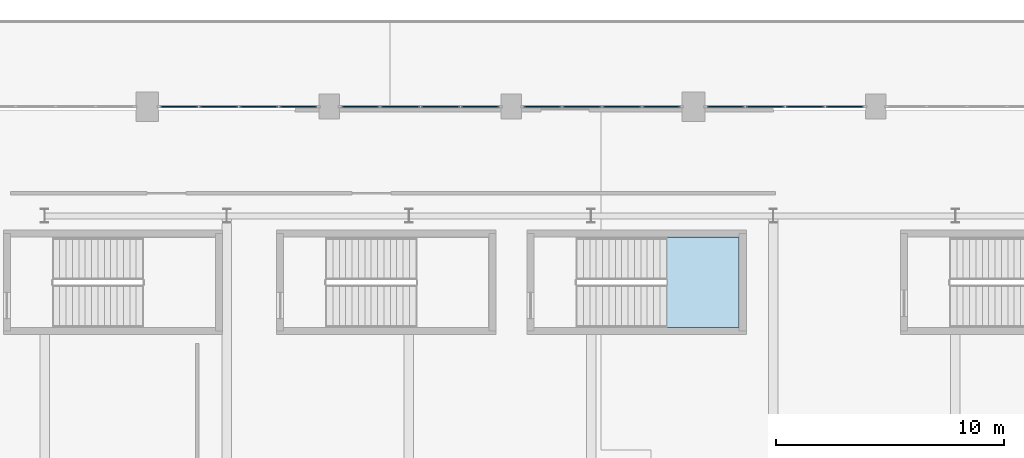
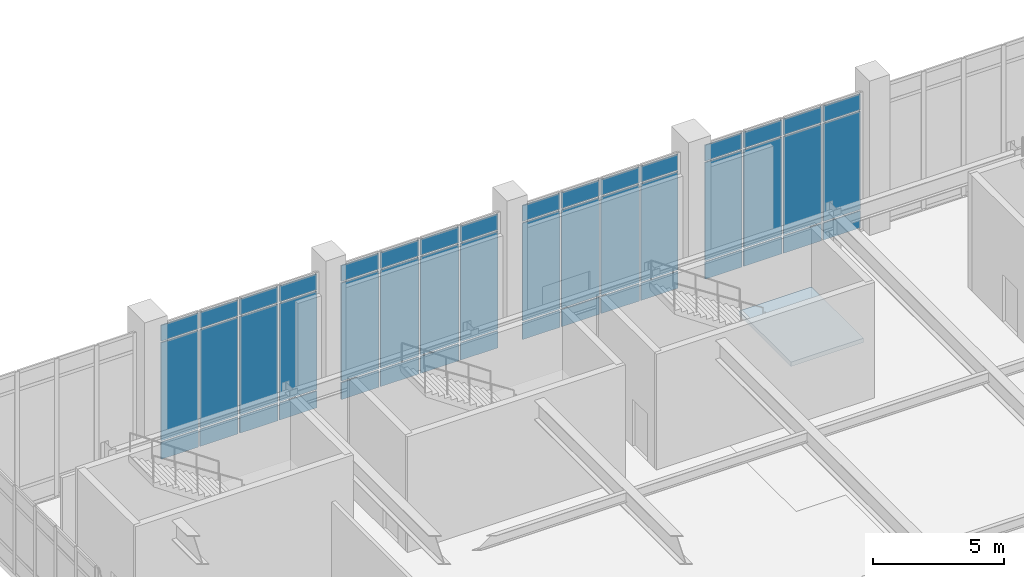
# One storey, part 53 of 84: 48 plates, 1 slab, 5 elements without a shape of their own.
"""IFC4 building model written with IfcOpenShell, lengths in metres."""

from ifc_helpers import new_model, si_unit, direction, frame, origin, origin_2d, place, context, subcontext, project, spatial, polyline, rectangle, outline, extrude, material, layer, layer_set, type_object, element, aggregate, save


model = new_model("IFC4")

# Units and contexts
model_context = context("Model", 3, precision=1e-05, world=origin(), true_north=direction((0.0, 1.0)))
body_context = subcontext(model_context, "Body", "Model", "MODEL_VIEW")
ifc_project = project(units=[si_unit("LENGTHUNIT", "METRE"), si_unit("AREAUNIT", "SQUARE_METRE"), si_unit("VOLUMEUNIT", "CUBIC_METRE"), si_unit("PLANEANGLEUNIT", "RADIAN"), si_unit("MASSUNIT", "GRAM", prefix="KILO")], contexts=[model_context])

# Site, building, storey
site_placement = place(None, origin())
site = spatial("IfcSite", under=ifc_project, at=site_placement, CompositionType="ELEMENT")
building_placement = place(site_placement, origin())
building = spatial("IfcBuilding", under=site, at=building_placement, Name="Tlacozan Convention Centre", CompositionType="ELEMENT")
storey_placement = place(building_placement, frame((0.0, 0.0, 6.0)))
storey = spatial("IfcBuildingStorey", under=building, at=storey_placement, Name="L01", CompositionType="ELEMENT", Elevation=6.0)

# Curtain wall, plates
ifc_material_1 = material(Name="Dark Bronze Anodised Aluminium", Category="aluminium")
ifc_layer_1 = layer(ifc_material_1, 0.199951171875)
ifc_layer_set_1 = layer_set([ifc_layer_1], Name="Dark Bronze Anodised Aluminium")
curtain_wall_type = type_object("IfcCurtainWallType", Name="Exhibition Clerestory Curtain Wall CW10", PredefinedType="NOTDEFINED", material=ifc_layer_set_1)
curtain_wall_1_placement = place(storey_placement, origin())
curtain_wall_1 = element("IfcCurtainWall", 1, at=curtain_wall_1_placement, inside=storey, type_object=curtain_wall_type, Name="L01 CW-10 Run 21", PredefinedType="NOTDEFINED")
ifc_material_2 = material(Name="Solar Control Double Low-E Argon Glazing", Category="glass")
ifc_layer_2 = layer(ifc_material_2, 0.050048828125)
ifc_layer_set_2 = layer_set([ifc_layer_2], Name="Solar Control Double Low-E Argon Glazing")
plate_type = type_object("IfcPlateType", Name="Clerestory Solar CW Panel 50", PredefinedType="CURTAIN_PANEL", material=ifc_layer_set_2)
plate_1_placement = place(storey_placement, frame((97.4111328125, 62.0, 0.074951171875), z_axis=(0.0, 0.0, 1.0), x_axis=(1.0, 0.0, 0.0)))
plate_1 = element("IfcPlate", 2, at=plate_1_placement, type_object=plate_type, Name="CW-10 panel 1.1", PredefinedType="CURTAIN_PANEL", context=body_context, shape_type="SweptSolid", body=[
    extrude(rectangle(XDim=1.642578125, YDim=0.050048828125, at=origin_2d()), origin(), (0.0, 0.0, 1.0), 0.78759765625),
])
plate_2_placement = place(storey_placement, frame((97.4111328125, 62.0, 0.9375), z_axis=(0.0, 0.0, 1.0), x_axis=(1.0, 0.0, 0.0)))
plate_2 = element("IfcPlate", 3, at=plate_2_placement, type_object=plate_type, Name="CW-10 panel 1.2", PredefinedType="CURTAIN_PANEL", context=body_context, shape_type="SweptSolid", body=[
    extrude(rectangle(XDim=1.642578125, YDim=0.050048828125, at=origin_2d()), origin(), (0.0, 0.0, 1.0), 4.574951171875),
])
plate_3_placement = place(storey_placement, frame((97.4111328125, 62.0, 5.58740234375), z_axis=(0.0, 0.0, 1.0), x_axis=(1.0, 0.0, 0.0)))
plate_3 = element("IfcPlate", 4, at=plate_3_placement, type_object=plate_type, Name="CW-10 panel 1.3", PredefinedType="CURTAIN_PANEL", context=body_context, shape_type="SweptSolid", body=[
    extrude(rectangle(XDim=1.642578125, YDim=0.050048828125, at=origin_2d()), origin(), (0.0, 0.0, 1.0), 0.737548828125),
])
plate_4_placement = place(storey_placement, frame((99.1474609375, 62.0, 0.074951171875), z_axis=(0.0, 0.0, 1.0), x_axis=(1.0, 0.0, 0.0)))
plate_4 = element("IfcPlate", 5, at=plate_4_placement, type_object=plate_type, Name="CW-10 panel 2.1", PredefinedType="CURTAIN_PANEL", context=body_context, shape_type="SweptSolid", body=[
    extrude(rectangle(XDim=1.679931640625, YDim=0.050048828125, at=origin_2d()), origin(), (0.0, 0.0, 1.0), 0.78759765625),
])
plate_5_placement = place(storey_placement, frame((99.1474609375, 62.0, 0.9375), z_axis=(0.0, 0.0, 1.0), x_axis=(1.0, 0.0, 0.0)))
plate_5 = element("IfcPlate", 6, at=plate_5_placement, type_object=plate_type, Name="CW-10 panel 2.2", PredefinedType="CURTAIN_PANEL", context=body_context, shape_type="SweptSolid", body=[
    extrude(rectangle(XDim=1.679931640625, YDim=0.050048828125, at=origin_2d()), origin(), (0.0, 0.0, 1.0), 4.574951171875),
])
plate_6_placement = place(storey_placement, frame((99.1474609375, 62.0, 5.58740234375), z_axis=(0.0, 0.0, 1.0), x_axis=(1.0, 0.0, 0.0)))
plate_6 = element("IfcPlate", 7, at=plate_6_placement, type_object=plate_type, Name="CW-10 panel 2.3", PredefinedType="CURTAIN_PANEL", context=body_context, shape_type="SweptSolid", body=[
    extrude(rectangle(XDim=1.679931640625, YDim=0.050048828125, at=origin_2d()), origin(), (0.0, 0.0, 1.0), 0.737548828125),
])
plate_7_placement = place(storey_placement, frame((100.902587890625, 62.0, 0.074951171875), z_axis=(0.0, 0.0, 1.0), x_axis=(1.0, 0.0, 0.0)))
plate_7 = element("IfcPlate", 8, at=plate_7_placement, type_object=plate_type, Name="CW-10 panel 3.1", PredefinedType="CURTAIN_PANEL", context=body_context, shape_type="SweptSolid", body=[
    extrude(rectangle(XDim=1.679931640625, YDim=0.050048828125, at=origin_2d()), origin(), (0.0, 0.0, 1.0), 0.78759765625),
])
plate_8_placement = place(storey_placement, frame((100.902587890625, 62.0, 0.9375), z_axis=(0.0, 0.0, 1.0), x_axis=(1.0, 0.0, 0.0)))
plate_8 = element("IfcPlate", 9, at=plate_8_placement, type_object=plate_type, Name="CW-10 panel 3.2", PredefinedType="CURTAIN_PANEL", context=body_context, shape_type="SweptSolid", body=[
    extrude(rectangle(XDim=1.679931640625, YDim=0.050048828125, at=origin_2d()), origin(), (0.0, 0.0, 1.0), 4.574951171875),
])
plate_9_placement = place(storey_placement, frame((100.902587890625, 62.0, 5.58740234375), z_axis=(0.0, 0.0, 1.0), x_axis=(1.0, 0.0, 0.0)))
plate_9 = element("IfcPlate", 10, at=plate_9_placement, type_object=plate_type, Name="CW-10 panel 3.3", PredefinedType="CURTAIN_PANEL", context=body_context, shape_type="SweptSolid", body=[
    extrude(rectangle(XDim=1.679931640625, YDim=0.050048828125, at=origin_2d()), origin(), (0.0, 0.0, 1.0), 0.737548828125),
])
plate_10_placement = place(storey_placement, frame((102.638671875, 62.0, 0.074951171875), z_axis=(0.0, 0.0, 1.0), x_axis=(1.0, 0.0, 0.0)))
plate_10 = element("IfcPlate", 11, at=plate_10_placement, type_object=plate_type, Name="CW-10 panel 4.1", PredefinedType="CURTAIN_PANEL", context=body_context, shape_type="SweptSolid", body=[
    extrude(rectangle(XDim=1.642578125, YDim=0.050048828125, at=origin_2d()), origin(), (0.0, 0.0, 1.0), 0.78759765625),
])
plate_11_placement = place(storey_placement, frame((102.638671875, 62.0, 0.9375), z_axis=(0.0, 0.0, 1.0), x_axis=(1.0, 0.0, 0.0)))
plate_11 = element("IfcPlate", 12, at=plate_11_placement, type_object=plate_type, Name="CW-10 panel 4.2", PredefinedType="CURTAIN_PANEL", context=body_context, shape_type="SweptSolid", body=[
    extrude(rectangle(XDim=1.642578125, YDim=0.050048828125, at=origin_2d()), origin(), (0.0, 0.0, 1.0), 4.574951171875),
])
plate_12_placement = place(storey_placement, frame((102.638671875, 62.0, 5.58740234375), z_axis=(0.0, 0.0, 1.0), x_axis=(1.0, 0.0, 0.0)))
plate_12 = element("IfcPlate", 13, at=plate_12_placement, type_object=plate_type, Name="CW-10 panel 4.3", PredefinedType="CURTAIN_PANEL", context=body_context, shape_type="SweptSolid", body=[
    extrude(rectangle(XDim=1.642578125, YDim=0.050048828125, at=origin_2d()), origin(), (0.0, 0.0, 1.0), 0.737548828125),
])
aggregate(curtain_wall_1, [plate_1, plate_2, plate_3, plate_4, plate_5, plate_6, plate_7, plate_8, plate_9, plate_10, plate_11, plate_12])

curtain_wall_2_placement = place(storey_placement, origin())
curtain_wall_2 = element("IfcCurtainWall", 14, at=curtain_wall_2_placement, inside=storey, type_object=curtain_wall_type, Name="L01 CW-10 Run 22", PredefinedType="NOTDEFINED")
plate_13_placement = place(storey_placement, frame((105.367431640625, 62.0, 0.074951171875), z_axis=(0.0, 0.0, 1.0), x_axis=(1.0, 0.0, 0.0)))
plate_13 = element("IfcPlate", 15, at=plate_13_placement, type_object=plate_type, Name="CW-10 panel 1.1", PredefinedType="CURTAIN_PANEL", context=body_context, shape_type="SweptSolid", body=[
    extrude(rectangle(XDim=1.655029296875, YDim=0.050048828125, at=origin_2d()), origin(), (0.0, 0.0, 1.0), 0.78759765625),
])
plate_14_placement = place(storey_placement, frame((105.367431640625, 62.0, 0.9375), z_axis=(0.0, 0.0, 1.0), x_axis=(1.0, 0.0, 0.0)))
plate_14 = element("IfcPlate", 16, at=plate_14_placement, type_object=plate_type, Name="CW-10 panel 1.2", PredefinedType="CURTAIN_PANEL", context=body_context, shape_type="SweptSolid", body=[
    extrude(rectangle(XDim=1.655029296875, YDim=0.050048828125, at=origin_2d()), origin(), (0.0, 0.0, 1.0), 4.574951171875),
])
plate_15_placement = place(storey_placement, frame((105.367431640625, 62.0, 5.58740234375), z_axis=(0.0, 0.0, 1.0), x_axis=(1.0, 0.0, 0.0)))
plate_15 = element("IfcPlate", 17, at=plate_15_placement, type_object=plate_type, Name="CW-10 panel 1.3", PredefinedType="CURTAIN_PANEL", context=body_context, shape_type="SweptSolid", body=[
    extrude(rectangle(XDim=1.655029296875, YDim=0.050048828125, at=origin_2d()), origin(), (0.0, 0.0, 1.0), 0.737548828125),
])
plate_16_placement = place(storey_placement, frame((107.1162109375, 62.0, 0.074951171875), z_axis=(0.0, 0.0, 1.0), x_axis=(1.0, 0.0, 0.0)))
plate_16 = element("IfcPlate", 18, at=plate_16_placement, type_object=plate_type, Name="CW-10 panel 2.1", PredefinedType="CURTAIN_PANEL", context=body_context, shape_type="SweptSolid", body=[
    extrude(rectangle(XDim=1.6923828125, YDim=0.050048828125, at=origin_2d()), origin(), (0.0, 0.0, 1.0), 0.78759765625),
])
plate_17_placement = place(storey_placement, frame((107.1162109375, 62.0, 0.9375), z_axis=(0.0, 0.0, 1.0), x_axis=(1.0, 0.0, 0.0)))
plate_17 = element("IfcPlate", 19, at=plate_17_placement, type_object=plate_type, Name="CW-10 panel 2.2", PredefinedType="CURTAIN_PANEL", context=body_context, shape_type="SweptSolid", body=[
    extrude(rectangle(XDim=1.6923828125, YDim=0.050048828125, at=origin_2d()), origin(), (0.0, 0.0, 1.0), 4.574951171875),
])
plate_18_placement = place(storey_placement, frame((107.1162109375, 62.0, 5.58740234375), z_axis=(0.0, 0.0, 1.0), x_axis=(1.0, 0.0, 0.0)))
plate_18 = element("IfcPlate", 20, at=plate_18_placement, type_object=plate_type, Name="CW-10 panel 2.3", PredefinedType="CURTAIN_PANEL", context=body_context, shape_type="SweptSolid", body=[
    extrude(rectangle(XDim=1.6923828125, YDim=0.050048828125, at=origin_2d()), origin(), (0.0, 0.0, 1.0), 0.737548828125),
])
plate_19_placement = place(storey_placement, frame((108.8837890625, 62.0, 0.074951171875), z_axis=(0.0, 0.0, 1.0), x_axis=(1.0, 0.0, 0.0)))
plate_19 = element("IfcPlate", 21, at=plate_19_placement, type_object=plate_type, Name="CW-10 panel 3.1", PredefinedType="CURTAIN_PANEL", context=body_context, shape_type="SweptSolid", body=[
    extrude(rectangle(XDim=1.6923828125, YDim=0.050048828125, at=origin_2d()), origin(), (0.0, 0.0, 1.0), 0.78759765625),
])
plate_20_placement = place(storey_placement, frame((108.8837890625, 62.0, 0.9375), z_axis=(0.0, 0.0, 1.0), x_axis=(1.0, 0.0, 0.0)))
plate_20 = element("IfcPlate", 22, at=plate_20_placement, type_object=plate_type, Name="CW-10 panel 3.2", PredefinedType="CURTAIN_PANEL", context=body_context, shape_type="SweptSolid", body=[
    extrude(rectangle(XDim=1.6923828125, YDim=0.050048828125, at=origin_2d()), origin(), (0.0, 0.0, 1.0), 4.574951171875),
])
plate_21_placement = place(storey_placement, frame((108.8837890625, 62.0, 5.58740234375), z_axis=(0.0, 0.0, 1.0), x_axis=(1.0, 0.0, 0.0)))
plate_21 = element("IfcPlate", 23, at=plate_21_placement, type_object=plate_type, Name="CW-10 panel 3.3", PredefinedType="CURTAIN_PANEL", context=body_context, shape_type="SweptSolid", body=[
    extrude(rectangle(XDim=1.6923828125, YDim=0.050048828125, at=origin_2d()), origin(), (0.0, 0.0, 1.0), 0.737548828125),
])
plate_22_placement = place(storey_placement, frame((110.632568359375, 62.0, 0.074951171875), z_axis=(0.0, 0.0, 1.0), x_axis=(1.0, 0.0, 0.0)))
plate_22 = element("IfcPlate", 24, at=plate_22_placement, type_object=plate_type, Name="CW-10 panel 4.1", PredefinedType="CURTAIN_PANEL", context=body_context, shape_type="SweptSolid", body=[
    extrude(rectangle(XDim=1.655029296875, YDim=0.050048828125, at=origin_2d()), origin(), (0.0, 0.0, 1.0), 0.78759765625),
])
plate_23_placement = place(storey_placement, frame((110.632568359375, 62.0, 0.9375), z_axis=(0.0, 0.0, 1.0), x_axis=(1.0, 0.0, 0.0)))
plate_23 = element("IfcPlate", 25, at=plate_23_placement, type_object=plate_type, Name="CW-10 panel 4.2", PredefinedType="CURTAIN_PANEL", context=body_context, shape_type="SweptSolid", body=[
    extrude(rectangle(XDim=1.655029296875, YDim=0.050048828125, at=origin_2d()), origin(), (0.0, 0.0, 1.0), 4.574951171875),
])
plate_24_placement = place(storey_placement, frame((110.632568359375, 62.0, 5.58740234375), z_axis=(0.0, 0.0, 1.0), x_axis=(1.0, 0.0, 0.0)))
plate_24 = element("IfcPlate", 26, at=plate_24_placement, type_object=plate_type, Name="CW-10 panel 4.3", PredefinedType="CURTAIN_PANEL", context=body_context, shape_type="SweptSolid", body=[
    extrude(rectangle(XDim=1.655029296875, YDim=0.050048828125, at=origin_2d()), origin(), (0.0, 0.0, 1.0), 0.737548828125),
])
aggregate(curtain_wall_2, [plate_13, plate_14, plate_15, plate_16, plate_17, plate_18, plate_19, plate_20, plate_21, plate_22, plate_23, plate_24])

curtain_wall_3_placement = place(storey_placement, origin())
curtain_wall_3 = element("IfcCurtainWall", 27, at=curtain_wall_3_placement, inside=storey, type_object=curtain_wall_type, Name="L01 CW-10 Run 23", PredefinedType="NOTDEFINED")
plate_25_placement = place(storey_placement, frame((113.361328125, 62.0, 0.074951171875), z_axis=(0.0, 0.0, 1.0), x_axis=(1.0, 0.0, 0.0)))
plate_25 = element("IfcPlate", 28, at=plate_25_placement, type_object=plate_type, Name="CW-10 panel 1.1", PredefinedType="CURTAIN_PANEL", context=body_context, shape_type="SweptSolid", body=[
    extrude(rectangle(XDim=1.642578125, YDim=0.050048828125, at=origin_2d()), origin(), (0.0, 0.0, 1.0), 0.78759765625),
])
plate_26_placement = place(storey_placement, frame((113.361328125, 62.0, 0.9375), z_axis=(0.0, 0.0, 1.0), x_axis=(1.0, 0.0, 0.0)))
plate_26 = element("IfcPlate", 29, at=plate_26_placement, type_object=plate_type, Name="CW-10 panel 1.2", PredefinedType="CURTAIN_PANEL", context=body_context, shape_type="SweptSolid", body=[
    extrude(rectangle(XDim=1.642578125, YDim=0.050048828125, at=origin_2d()), origin(), (0.0, 0.0, 1.0), 4.574951171875),
])
plate_27_placement = place(storey_placement, frame((113.361328125, 62.0, 5.58740234375), z_axis=(0.0, 0.0, 1.0), x_axis=(1.0, 0.0, 0.0)))
plate_27 = element("IfcPlate", 30, at=plate_27_placement, type_object=plate_type, Name="CW-10 panel 1.3", PredefinedType="CURTAIN_PANEL", context=body_context, shape_type="SweptSolid", body=[
    extrude(rectangle(XDim=1.642578125, YDim=0.050048828125, at=origin_2d()), origin(), (0.0, 0.0, 1.0), 0.737548828125),
])
plate_28_placement = place(storey_placement, frame((115.097412109375, 62.0, 0.074951171875), z_axis=(0.0, 0.0, 1.0), x_axis=(1.0, 0.0, 0.0)))
plate_28 = element("IfcPlate", 31, at=plate_28_placement, type_object=plate_type, Name="CW-10 panel 2.1", PredefinedType="CURTAIN_PANEL", context=body_context, shape_type="SweptSolid", body=[
    extrude(rectangle(XDim=1.679931640625, YDim=0.050048828125, at=origin_2d()), origin(), (0.0, 0.0, 1.0), 0.78759765625),
])
plate_29_placement = place(storey_placement, frame((115.097412109375, 62.0, 0.9375), z_axis=(0.0, 0.0, 1.0), x_axis=(1.0, 0.0, 0.0)))
plate_29 = element("IfcPlate", 32, at=plate_29_placement, type_object=plate_type, Name="CW-10 panel 2.2", PredefinedType="CURTAIN_PANEL", context=body_context, shape_type="SweptSolid", body=[
    extrude(rectangle(XDim=1.679931640625, YDim=0.050048828125, at=origin_2d()), origin(), (0.0, 0.0, 1.0), 4.574951171875),
])
plate_30_placement = place(storey_placement, frame((115.097412109375, 62.0, 5.58740234375), z_axis=(0.0, 0.0, 1.0), x_axis=(1.0, 0.0, 0.0)))
plate_30 = element("IfcPlate", 33, at=plate_30_placement, type_object=plate_type, Name="CW-10 panel 2.3", PredefinedType="CURTAIN_PANEL", context=body_context, shape_type="SweptSolid", body=[
    extrude(rectangle(XDim=1.679931640625, YDim=0.050048828125, at=origin_2d()), origin(), (0.0, 0.0, 1.0), 0.737548828125),
])
plate_31_placement = place(storey_placement, frame((116.8525390625, 62.0, 0.074951171875), z_axis=(0.0, 0.0, 1.0), x_axis=(1.0, 0.0, 0.0)))
plate_31 = element("IfcPlate", 34, at=plate_31_placement, type_object=plate_type, Name="CW-10 panel 3.1", PredefinedType="CURTAIN_PANEL", context=body_context, shape_type="SweptSolid", body=[
    extrude(rectangle(XDim=1.679931640625, YDim=0.050048828125, at=origin_2d()), origin(), (0.0, 0.0, 1.0), 0.78759765625),
])
plate_32_placement = place(storey_placement, frame((116.8525390625, 62.0, 0.9375), z_axis=(0.0, 0.0, 1.0), x_axis=(1.0, 0.0, 0.0)))
plate_32 = element("IfcPlate", 35, at=plate_32_placement, type_object=plate_type, Name="CW-10 panel 3.2", PredefinedType="CURTAIN_PANEL", context=body_context, shape_type="SweptSolid", body=[
    extrude(rectangle(XDim=1.679931640625, YDim=0.050048828125, at=origin_2d()), origin(), (0.0, 0.0, 1.0), 4.574951171875),
])
plate_33_placement = place(storey_placement, frame((116.8525390625, 62.0, 5.58740234375), z_axis=(0.0, 0.0, 1.0), x_axis=(1.0, 0.0, 0.0)))
plate_33 = element("IfcPlate", 36, at=plate_33_placement, type_object=plate_type, Name="CW-10 panel 3.3", PredefinedType="CURTAIN_PANEL", context=body_context, shape_type="SweptSolid", body=[
    extrude(rectangle(XDim=1.679931640625, YDim=0.050048828125, at=origin_2d()), origin(), (0.0, 0.0, 1.0), 0.737548828125),
])
plate_34_placement = place(storey_placement, frame((118.5888671875, 62.0, 0.074951171875), z_axis=(0.0, 0.0, 1.0), x_axis=(1.0, 0.0, 0.0)))
plate_34 = element("IfcPlate", 37, at=plate_34_placement, type_object=plate_type, Name="CW-10 panel 4.1", PredefinedType="CURTAIN_PANEL", context=body_context, shape_type="SweptSolid", body=[
    extrude(rectangle(XDim=1.642578125, YDim=0.050048828125, at=origin_2d()), origin(), (0.0, 0.0, 1.0), 0.78759765625),
])
plate_35_placement = place(storey_placement, frame((118.5888671875, 62.0, 0.9375), z_axis=(0.0, 0.0, 1.0), x_axis=(1.0, 0.0, 0.0)))
plate_35 = element("IfcPlate", 38, at=plate_35_placement, type_object=plate_type, Name="CW-10 panel 4.2", PredefinedType="CURTAIN_PANEL", context=body_context, shape_type="SweptSolid", body=[
    extrude(rectangle(XDim=1.642578125, YDim=0.050048828125, at=origin_2d()), origin(), (0.0, 0.0, 1.0), 4.574951171875),
])
plate_36_placement = place(storey_placement, frame((118.5888671875, 62.0, 5.58740234375), z_axis=(0.0, 0.0, 1.0), x_axis=(1.0, 0.0, 0.0)))
plate_36 = element("IfcPlate", 39, at=plate_36_placement, type_object=plate_type, Name="CW-10 panel 4.3", PredefinedType="CURTAIN_PANEL", context=body_context, shape_type="SweptSolid", body=[
    extrude(rectangle(XDim=1.642578125, YDim=0.050048828125, at=origin_2d()), origin(), (0.0, 0.0, 1.0), 0.737548828125),
])
aggregate(curtain_wall_3, [plate_25, plate_26, plate_27, plate_28, plate_29, plate_30, plate_31, plate_32, plate_33, plate_34, plate_35, plate_36])

curtain_wall_4_placement = place(storey_placement, origin())
curtain_wall_4 = element("IfcCurtainWall", 40, at=curtain_wall_4_placement, inside=storey, type_object=curtain_wall_type, Name="L01 CW-10 Run 24", PredefinedType="NOTDEFINED")
plate_37_placement = place(storey_placement, frame((121.4111328125, 62.0, 0.074951171875), z_axis=(0.0, 0.0, 1.0), x_axis=(1.0, 0.0, 0.0)))
plate_37 = element("IfcPlate", 41, at=plate_37_placement, type_object=plate_type, Name="CW-10 panel 1.1", PredefinedType="CURTAIN_PANEL", context=body_context, shape_type="SweptSolid", body=[
    extrude(rectangle(XDim=1.642578125, YDim=0.050048828125, at=origin_2d()), origin(), (0.0, 0.0, 1.0), 0.78759765625),
])
plate_38_placement = place(storey_placement, frame((121.4111328125, 62.0, 0.9375), z_axis=(0.0, 0.0, 1.0), x_axis=(1.0, 0.0, 0.0)))
plate_38 = element("IfcPlate", 42, at=plate_38_placement, type_object=plate_type, Name="CW-10 panel 1.2", PredefinedType="CURTAIN_PANEL", context=body_context, shape_type="SweptSolid", body=[
    extrude(rectangle(XDim=1.642578125, YDim=0.050048828125, at=origin_2d()), origin(), (0.0, 0.0, 1.0), 4.574951171875),
])
plate_39_placement = place(storey_placement, frame((121.4111328125, 62.0, 5.58740234375), z_axis=(0.0, 0.0, 1.0), x_axis=(1.0, 0.0, 0.0)))
plate_39 = element("IfcPlate", 43, at=plate_39_placement, type_object=plate_type, Name="CW-10 panel 1.3", PredefinedType="CURTAIN_PANEL", context=body_context, shape_type="SweptSolid", body=[
    extrude(rectangle(XDim=1.642578125, YDim=0.050048828125, at=origin_2d()), origin(), (0.0, 0.0, 1.0), 0.737548828125),
])
plate_40_placement = place(storey_placement, frame((123.1474609375, 62.0, 0.074951171875), z_axis=(0.0, 0.0, 1.0), x_axis=(1.0, 0.0, 0.0)))
plate_40 = element("IfcPlate", 44, at=plate_40_placement, type_object=plate_type, Name="CW-10 panel 2.1", PredefinedType="CURTAIN_PANEL", context=body_context, shape_type="SweptSolid", body=[
    extrude(rectangle(XDim=1.679931640625, YDim=0.050048828125, at=origin_2d()), origin(), (0.0, 0.0, 1.0), 0.78759765625),
])
plate_41_placement = place(storey_placement, frame((123.1474609375, 62.0, 0.9375), z_axis=(0.0, 0.0, 1.0), x_axis=(1.0, 0.0, 0.0)))
plate_41 = element("IfcPlate", 45, at=plate_41_placement, type_object=plate_type, Name="CW-10 panel 2.2", PredefinedType="CURTAIN_PANEL", context=body_context, shape_type="SweptSolid", body=[
    extrude(rectangle(XDim=1.679931640625, YDim=0.050048828125, at=origin_2d()), origin(), (0.0, 0.0, 1.0), 4.574951171875),
])
plate_42_placement = place(storey_placement, frame((123.1474609375, 62.0, 5.58740234375), z_axis=(0.0, 0.0, 1.0), x_axis=(1.0, 0.0, 0.0)))
plate_42 = element("IfcPlate", 46, at=plate_42_placement, type_object=plate_type, Name="CW-10 panel 2.3", PredefinedType="CURTAIN_PANEL", context=body_context, shape_type="SweptSolid", body=[
    extrude(rectangle(XDim=1.679931640625, YDim=0.050048828125, at=origin_2d()), origin(), (0.0, 0.0, 1.0), 0.737548828125),
])
plate_43_placement = place(storey_placement, frame((124.902587890625, 62.0, 0.074951171875), z_axis=(0.0, 0.0, 1.0), x_axis=(1.0, 0.0, 0.0)))
plate_43 = element("IfcPlate", 47, at=plate_43_placement, type_object=plate_type, Name="CW-10 panel 3.1", PredefinedType="CURTAIN_PANEL", context=body_context, shape_type="SweptSolid", body=[
    extrude(rectangle(XDim=1.679931640625, YDim=0.050048828125, at=origin_2d()), origin(), (0.0, 0.0, 1.0), 0.78759765625),
])
plate_44_placement = place(storey_placement, frame((124.902587890625, 62.0, 0.9375), z_axis=(0.0, 0.0, 1.0), x_axis=(1.0, 0.0, 0.0)))
plate_44 = element("IfcPlate", 48, at=plate_44_placement, type_object=plate_type, Name="CW-10 panel 3.2", PredefinedType="CURTAIN_PANEL", context=body_context, shape_type="SweptSolid", body=[
    extrude(rectangle(XDim=1.679931640625, YDim=0.050048828125, at=origin_2d()), origin(), (0.0, 0.0, 1.0), 4.574951171875),
])
plate_45_placement = place(storey_placement, frame((124.902587890625, 62.0, 5.58740234375), z_axis=(0.0, 0.0, 1.0), x_axis=(1.0, 0.0, 0.0)))
plate_45 = element("IfcPlate", 49, at=plate_45_placement, type_object=plate_type, Name="CW-10 panel 3.3", PredefinedType="CURTAIN_PANEL", context=body_context, shape_type="SweptSolid", body=[
    extrude(rectangle(XDim=1.679931640625, YDim=0.050048828125, at=origin_2d()), origin(), (0.0, 0.0, 1.0), 0.737548828125),
])
plate_46_placement = place(storey_placement, frame((126.638671875, 62.0, 0.074951171875), z_axis=(0.0, 0.0, 1.0), x_axis=(1.0, 0.0, 0.0)))
plate_46 = element("IfcPlate", 50, at=plate_46_placement, type_object=plate_type, Name="CW-10 panel 4.1", PredefinedType="CURTAIN_PANEL", context=body_context, shape_type="SweptSolid", body=[
    extrude(rectangle(XDim=1.642578125, YDim=0.050048828125, at=origin_2d()), origin(), (0.0, 0.0, 1.0), 0.78759765625),
])
plate_47_placement = place(storey_placement, frame((126.638671875, 62.0, 0.9375), z_axis=(0.0, 0.0, 1.0), x_axis=(1.0, 0.0, 0.0)))
plate_47 = element("IfcPlate", 51, at=plate_47_placement, type_object=plate_type, Name="CW-10 panel 4.2", PredefinedType="CURTAIN_PANEL", context=body_context, shape_type="SweptSolid", body=[
    extrude(rectangle(XDim=1.642578125, YDim=0.050048828125, at=origin_2d()), origin(), (0.0, 0.0, 1.0), 4.574951171875),
])
plate_48_placement = place(storey_placement, frame((126.638671875, 62.0, 5.58740234375), z_axis=(0.0, 0.0, 1.0), x_axis=(1.0, 0.0, 0.0)))
plate_48 = element("IfcPlate", 52, at=plate_48_placement, type_object=plate_type, Name="CW-10 panel 4.3", PredefinedType="CURTAIN_PANEL", context=body_context, shape_type="SweptSolid", body=[
    extrude(rectangle(XDim=1.642578125, YDim=0.050048828125, at=origin_2d()), origin(), (0.0, 0.0, 1.0), 0.737548828125),
])
aggregate(curtain_wall_4, [plate_37, plate_38, plate_39, plate_40, plate_41, plate_42, plate_43, plate_44, plate_45, plate_46, plate_47, plate_48])

# Stair, slab
ifc_material_3 = material(Name="Concrete C40/50", Category="concrete")
stair_type = type_object("IfcStairType", Name="Protected Dogleg Stair W188 H54", PredefinedType="HALF_TURN_STAIR", material=ifc_material_3)
stair_placement = place(storey_placement, origin())
stair = element("IfcStair", 53, at=stair_placement, inside=storey, type_object=stair_type, Name="L01 Ballroom East Terrace Stair", PredefinedType="HALF_TURN_STAIR")
ifc_layer_3 = layer(ifc_material_3, 0.199951171875)
ifc_layer_set_3 = layer_set([ifc_layer_3], Name="Concrete C40/50")
slab_type = type_object("IfcSlabType", Name="Stair Half Landing Slab 200", PredefinedType="LANDING", material=ifc_layer_set_3)
slab_placement = place(storey_placement, frame((0.0, 0.0, 2.5)))
slab = element("IfcSlab", 54, at=slab_placement, type_object=slab_type, Name="ST-18 landing 1", PredefinedType="LANDING", context=body_context, shape_type="SweptSolid", body=[
    extrude(outline(polyline([(118.800048828125, 52.300048828125), (122.0, 52.300048828125), (122.0, 56.260009765625), (118.800048828125, 56.260009765625), (118.800048828125, 52.300048828125)])), origin(), (0.0, 0.0, 1.0), 0.199951171875),
])
aggregate(stair, [slab])

save(model, "model.ifc")
